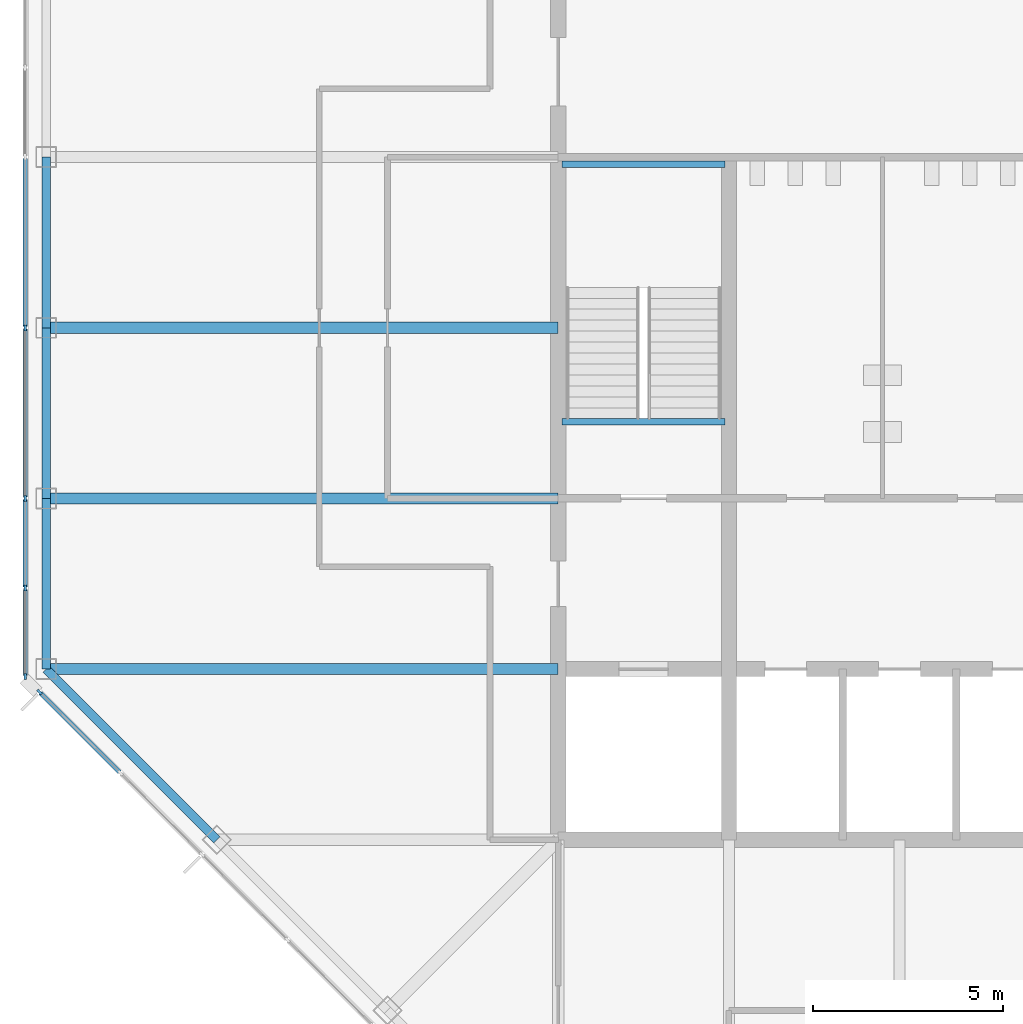
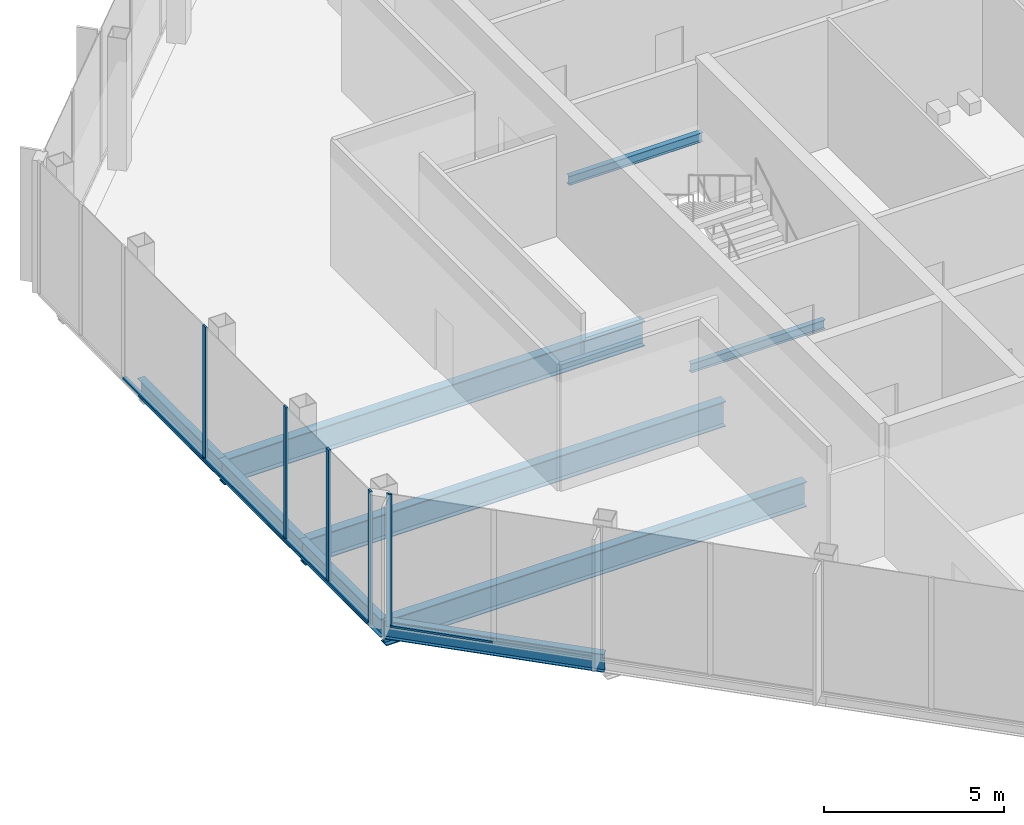
# One storey, part 3 of 13: 10 members, 9 beams, 2 elements without a shape of their own.
"""IFC4 building model written with IfcOpenShell, lengths in metres."""

from ifc_helpers import new_model, si_unit, direction, frame, origin, origin_2d, place, context, subcontext, project, spatial, rectangle, i_section, extrude, material, material_profile, profile_set, type_object, element, aggregate, save


model = new_model("IFC4")

# Units and contexts
model_context = context("Model", 3, precision=1e-05, world=origin(), true_north=direction((0.0, 1.0)))
body_context = subcontext(model_context, "Body", "Model", "MODEL_VIEW")
ifc_project = project(units=[si_unit("LENGTHUNIT", "METRE"), si_unit("AREAUNIT", "SQUARE_METRE"), si_unit("VOLUMEUNIT", "CUBIC_METRE"), si_unit("PLANEANGLEUNIT", "RADIAN"), si_unit("MASSUNIT", "GRAM", prefix="KILO")], contexts=[model_context])

# Site, building, storey
site_placement = place(None, origin())
site = spatial("IfcSite", under=ifc_project, at=site_placement, CompositionType="ELEMENT")
building_placement = place(site_placement, origin())
building = spatial("IfcBuilding", under=site, at=building_placement, Name="Corais Broadcast Tower", CompositionType="ELEMENT")
storey_placement = place(building_placement, frame((0.0, 0.0, 310.60009765625)))
storey = spatial("IfcBuildingStorey", under=building, at=storey_placement, Name="L73", CompositionType="ELEMENT", Elevation=310.60009765625)

# Beams
ifc_material_1 = material(Name="Steel ASTM A572 Grade 50", Category="steel")
ifc_material_profile_1 = material_profile(ifc_material_1, i_section(OverallWidth=0.2939453125, OverallDepth=0.85107421875, WebThickness=0.01611328125, FlangeThickness=0.02685546875, at=origin_2d()), Name="W840x226")
ifc_profile_set_1 = profile_set([ifc_material_profile_1], Name="Steel ASTM A572 Grade 50")
beam_type_1 = type_object("IfcBeamType", Name="Floor beam W840x226", PredefinedType="BEAM", material=ifc_profile_set_1)
for number, where, z_axis, x_axis, name in (
    (1, (0.0, 18.0, -0.585693359375), (1.0, 0.0, 0.0), (0.0, 1.0, 0.0), "B1 E/3 to E/6"),
    (2, (0.0, 22.5, -0.585693359375), (1.0, 0.0, 0.0), (0.0, 1.0, 0.0), "B1 F/3 to F/6"),
    (3, (0.0, 27.0, -0.585693359375), (1.0, 0.0, 0.0), (0.0, 1.0, 0.0), "B1 G/3 to G/6"),
):
    element("IfcBeam", number, at=place(storey_placement, frame(where, z_axis=z_axis, x_axis=x_axis)), inside=storey, type_object=beam_type_1, Name=name, PredefinedType="BEAM", context=body_context, shape_type="SweptSolid", body=[
        extrude(i_section(OverallWidth=0.2939453125, OverallDepth=0.85107421875, WebThickness=0.01611328125, FlangeThickness=0.02685546875, at=origin_2d()), origin(), (0.0, 0.0, 1.0), 13.5),
    ])
ifc_material_2 = material(Name="Steel ASTM A572 Grade 50", Category="steel")
ifc_material_profile_2 = material_profile(ifc_material_2, i_section(OverallWidth=0.1650390625, OverallDepth=0.31005859375, WebThickness=0.005859375, FlangeThickness=0.009765625, at=origin_2d()), Name="W310x38.7")
ifc_profile_set_2 = profile_set([ifc_material_profile_2], Name="Steel ASTM A572 Grade 50")
beam_type_2 = type_object("IfcBeamType", Name="Landing trimmer W310x38.7", PredefinedType="BEAM", material=ifc_profile_set_2)
for number, where, z_axis, x_axis, name in (
    (4, (13.60009765625, 24.52490234375, -0.35498046875), (1.0, 0.0, 0.0), (0.0, 1.0, 0.0), "LT1 stair A landing trimmer L73"),
    (5, (13.60009765625, 31.31005859375, 1.89501953125), (1.0, 0.0, 0.0), (0.0, 1.0, 0.0), "LT1 stair A half landing trimmer L73"),
):
    element("IfcBeam", number, at=place(storey_placement, frame(where, z_axis=z_axis, x_axis=x_axis)), inside=storey, type_object=beam_type_2, Name=name, PredefinedType="BEAM", context=body_context, shape_type="SweptSolid", body=[
        extrude(i_section(OverallWidth=0.1650390625, OverallDepth=0.31005859375, WebThickness=0.005859375, FlangeThickness=0.009765625, at=origin_2d()), origin(), (0.0, 0.0, 1.0), 4.2998046875),
    ])

# Curtain wall, member
ifc_material_3 = material(Name="Aluminium and glass", Category="aluminium")
curtain_wall_type = type_object("IfcCurtainWallType", Name="Unitised fritted curtain wall CW3", PredefinedType="NOTDEFINED", material=ifc_material_3)
curtain_wall_1_placement = place(storey_placement, origin())
curtain_wall_1 = element("IfcCurtainWall", 6, at=curtain_wall_1_placement, inside=storey, type_object=curtain_wall_type, Name="CW3 curtain wall L73 1", PredefinedType="NOTDEFINED")
ifc_material_4 = material(Name="Aluminium 6063-T6", Category="aluminium")
ifc_material_profile_3 = material_profile(ifc_material_4, rectangle(XDim=0.06494140625, YDim=0.159912109375, at=origin_2d()), Name="Mullion CW3 65x160")
ifc_profile_set_3 = profile_set([ifc_material_profile_3], Name="Aluminium 6063-T6")
member_type_1 = type_object("IfcMemberType", Name="Mullion CW3 65x160", PredefinedType="MULLION", material=ifc_profile_set_3)
member_1_placement = place(storey_placement, frame((-0.17333984375, 17.3955078125, 0.0), z_axis=(0.0, 0.0, 1.0), x_axis=(-0.707106781187, -0.707106781187, 0.0)))
member_1 = element("IfcMember", 7, at=member_1_placement, type_object=member_type_1, Name="CW3 mullion 9", PredefinedType="MULLION", context=body_context, shape_type="SweptSolid", body=[
    extrude(rectangle(XDim=0.06494140625, YDim=0.159912109375, at=origin_2d()), origin(), (0.0, 0.0, 1.0), 4.5),
])

# Curtain wall, members
curtain_wall_2_placement = place(storey_placement, origin())
curtain_wall_2 = element("IfcCurtainWall", 8, at=curtain_wall_2_placement, inside=storey, type_object=curtain_wall_type, Name="CW3 curtain wall L73 2", PredefinedType="NOTDEFINED")
member_2_placement = place(storey_placement, frame((-0.550048828125, 17.8046875, 0.0), z_axis=(0.0, 0.0, 1.0), x_axis=(-1.0, 0.0, 0.0)))
member_2 = element("IfcMember", 9, at=member_2_placement, type_object=member_type_1, Name="CW3 mullion 1", PredefinedType="MULLION", context=body_context, shape_type="SweptSolid", body=[
    extrude(rectangle(XDim=0.06494140625, YDim=0.159912109375, at=origin_2d()), origin(), (0.0, 0.0, 1.0), 4.5),
])
member_3_placement = place(storey_placement, frame((-0.550048828125, 20.135986328125, 0.0), z_axis=(0.0, 0.0, 1.0), x_axis=(-1.0, 0.0, 0.0)))
member_3 = element("IfcMember", 10, at=member_3_placement, type_object=member_type_1, Name="CW3 mullion 2", PredefinedType="MULLION", context=body_context, shape_type="SweptSolid", body=[
    extrude(rectangle(XDim=0.06494140625, YDim=0.159912109375, at=origin_2d()), origin(), (0.0, 0.0, 1.0), 4.5),
])
member_4_placement = place(storey_placement, frame((-0.550048828125, 22.5, 0.0), z_axis=(0.0, 0.0, 1.0), x_axis=(-1.0, 0.0, 0.0)))
member_4 = element("IfcMember", 11, at=member_4_placement, type_object=member_type_1, Name="CW3 mullion 3", PredefinedType="MULLION", context=body_context, shape_type="SweptSolid", body=[
    extrude(rectangle(XDim=0.06494140625, YDim=0.159912109375, at=origin_2d()), origin(), (0.0, 0.0, 1.0), 4.5),
])
member_5_placement = place(storey_placement, frame((-0.550048828125, 27.0, 0.0), z_axis=(0.0, 0.0, 1.0), x_axis=(-1.0, 0.0, 0.0)))
member_5 = element("IfcMember", 12, at=member_5_placement, type_object=member_type_1, Name="CW3 mullion 4", PredefinedType="MULLION", context=body_context, shape_type="SweptSolid", body=[
    extrude(rectangle(XDim=0.06494140625, YDim=0.159912109375, at=origin_2d()), origin(), (0.0, 0.0, 1.0), 4.5),
])

# Beams
ifc_material_5 = material(Name="Steel ASTM A572 Grade 50", Category="steel")
ifc_material_profile_4 = material_profile(ifc_material_5, i_section(OverallWidth=0.22998046875, OverallDepth=0.616943359375, WebThickness=0.01318359375, FlangeThickness=0.022216796875, at=origin_2d()), Name="W610x140")
ifc_profile_set_4 = profile_set([ifc_material_profile_4], Name="Steel ASTM A572 Grade 50")
beam_type_3 = type_object("IfcBeamType", Name="Spandrel W610x140", PredefinedType="BEAM", material=ifc_profile_set_4)
beam_placement = place(storey_placement, frame((0.0, 18.0, -0.468505859375), z_axis=(0.707106781187, -0.707106781187, 0.0), x_axis=(0.707106781187, 0.707106781187, 0.0)))
element("IfcBeam", 13, at=beam_placement, inside=storey, type_object=beam_type_3, Name="SB3 E/3 to D/4", PredefinedType="BEAM", context=body_context, shape_type="SweptSolid", body=[
    extrude(i_section(OverallWidth=0.22998046875, OverallDepth=0.616943359375, WebThickness=0.01318359375, FlangeThickness=0.022216796875, at=origin_2d()), origin(), (0.0, 0.0, 1.0), 6.364013671875),
])
for number, where, z_axis, x_axis, name in (
    (14, (0.0, 22.5, -0.468505859375), (0.0, -1.0, 0.0), (1.0, 0.0, 0.0), "SB3 F/3 to E/3"),
    (15, (0.0, 27.0, -0.468505859375), (0.0, -1.0, 0.0), (1.0, 0.0, 0.0), "SB3 G/3 to F/3"),
    (16, (0.0, 31.5, -0.468505859375), (0.0, -1.0, 0.0), (1.0, 0.0, 0.0), "SB3 H/3 to G/3"),
):
    element("IfcBeam", number, at=place(storey_placement, frame(where, z_axis=z_axis, x_axis=x_axis)), inside=storey, type_object=beam_type_3, Name=name, PredefinedType="BEAM", context=body_context, shape_type="SweptSolid", body=[
        extrude(i_section(OverallWidth=0.22998046875, OverallDepth=0.616943359375, WebThickness=0.01318359375, FlangeThickness=0.022216796875, at=origin_2d()), origin(), (0.0, 0.0, 1.0), 4.5),
    ])

# Member
ifc_material_6 = material(Name="Aluminium 6063-T6", Category="aluminium")
ifc_material_profile_5 = material_profile(ifc_material_6, rectangle(XDim=0.1201171875, YDim=0.06494140625, at=origin_2d()), Name="Transom CW3 65x120")
ifc_profile_set_5 = profile_set([ifc_material_profile_5], Name="Aluminium 6063-T6")
member_type_2 = type_object("IfcMemberType", Name="Transom CW3 65x120", PredefinedType="USERDEFINED", material=ifc_profile_set_5)
member_6_placement = place(storey_placement, frame((1.934326171875, 15.287841796875, 0.032470703125), z_axis=(-0.707106781187, 0.707106781187, 0.0), x_axis=(-0.707106781187, -0.707106781187, 0.0)))
member_6 = element("IfcMember", 17, at=member_6_placement, type_object=member_type_2, Name="CW3 transom 8.1", ObjectType="TRANSOM", PredefinedType="USERDEFINED", context=body_context, shape_type="SweptSolid", body=[
    extrude(rectangle(XDim=0.1201171875, YDim=0.06494140625, at=origin_2d()), origin(), (0.0, 0.0, 1.0), 2.9482421875),
])

aggregate(curtain_wall_1, [member_1, member_6])

member_7_placement = place(storey_placement, frame((-0.550048828125, 17.837158203125, 0.032470703125), z_axis=(0.0, 1.0, 0.0), x_axis=(-1.0, 0.0, 0.0)))
member_7 = element("IfcMember", 18, at=member_7_placement, type_object=member_type_2, Name="CW3 transom 1.1", ObjectType="TRANSOM", PredefinedType="USERDEFINED", context=body_context, shape_type="SweptSolid", body=[
    extrude(rectangle(XDim=0.1201171875, YDim=0.06494140625, at=origin_2d()), origin(), (0.0, 0.0, 1.0), 2.266357421875),
])

member_8_placement = place(storey_placement, frame((-0.550048828125, 20.168701171875, 0.032470703125), z_axis=(0.0, 1.0, 0.0), x_axis=(-1.0, 0.0, 0.0)))
member_8 = element("IfcMember", 19, at=member_8_placement, type_object=member_type_2, Name="CW3 transom 2.1", ObjectType="TRANSOM", PredefinedType="USERDEFINED", context=body_context, shape_type="SweptSolid", body=[
    extrude(rectangle(XDim=0.1201171875, YDim=0.06494140625, at=origin_2d()), origin(), (0.0, 0.0, 1.0), 2.298828125),
])

member_9_placement = place(storey_placement, frame((-0.550048828125, 22.532470703125, 0.032470703125), z_axis=(0.0, 1.0, 0.0), x_axis=(-1.0, 0.0, 0.0)))
member_9 = element("IfcMember", 20, at=member_9_placement, type_object=member_type_2, Name="CW3 transom 3.1", ObjectType="TRANSOM", PredefinedType="USERDEFINED", context=body_context, shape_type="SweptSolid", body=[
    extrude(rectangle(XDim=0.1201171875, YDim=0.06494140625, at=origin_2d()), origin(), (0.0, 0.0, 1.0), 4.43505859375),
])

member_10_placement = place(storey_placement, frame((-0.550048828125, 27.032470703125, 0.032470703125), z_axis=(0.0, 1.0, 0.0), x_axis=(-1.0, 0.0, 0.0)))
member_10 = element("IfcMember", 21, at=member_10_placement, type_object=member_type_2, Name="CW3 transom 4.1", ObjectType="TRANSOM", PredefinedType="USERDEFINED", context=body_context, shape_type="SweptSolid", body=[
    extrude(rectangle(XDim=0.1201171875, YDim=0.06494140625, at=origin_2d()), origin(), (0.0, 0.0, 1.0), 4.43505859375),
])

aggregate(curtain_wall_2, [member_2, member_3, member_4, member_5, member_7, member_8, member_9, member_10])

save(model, "model.ifc")
